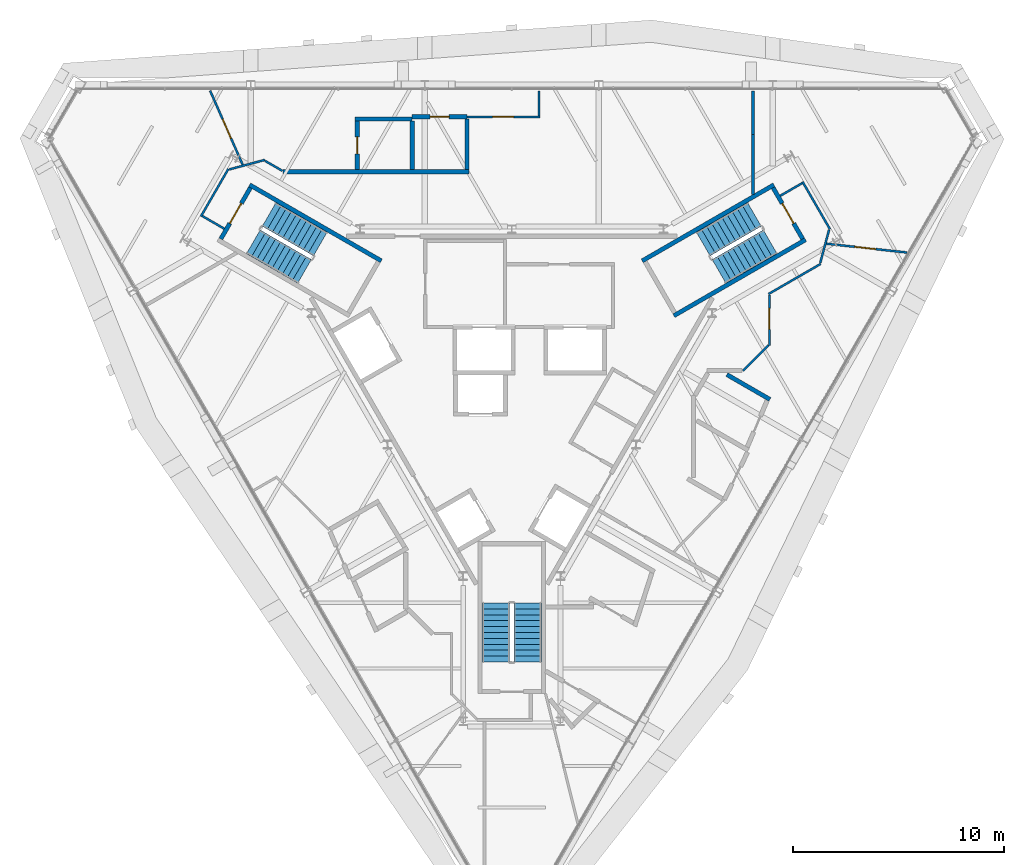
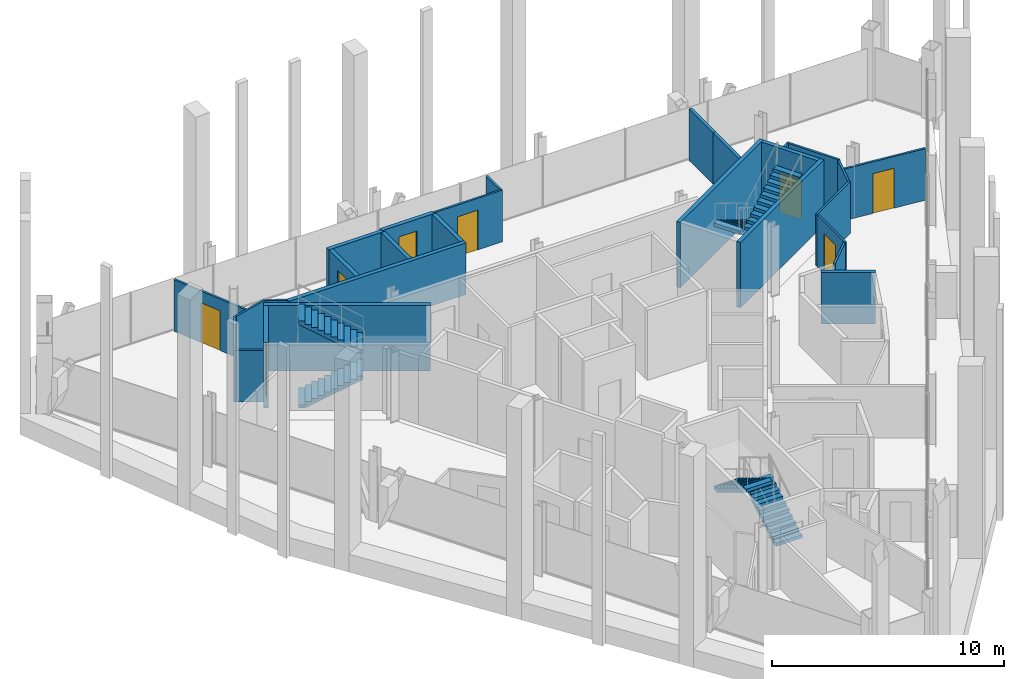
# One storey, part 10 of 12: 28 walls, 8 doors, 6 stair flights, 8 openings, 3 elements without a shape of their own.
"""IFC4 building model written with IfcOpenShell, lengths in metres."""

from ifc_helpers import new_model, si_unit, direction, frame, frame_2d, origin, place, context, subcontext, project, spatial, polyline, rectangle, outline, extrude, material, layer, layer_set, type_object, element, fill, aggregate, save


model = new_model("IFC4")

# Units and contexts
model_context = context("Model", 3, precision=1e-05, world=origin(), true_north=direction((0.0, 1.0)))
body_context = subcontext(model_context, "Body", "Model", "MODEL_VIEW")
ifc_project = project(units=[si_unit("LENGTHUNIT", "METRE"), si_unit("AREAUNIT", "SQUARE_METRE"), si_unit("VOLUMEUNIT", "CUBIC_METRE"), si_unit("PLANEANGLEUNIT", "RADIAN"), si_unit("MASSUNIT", "GRAM", prefix="KILO")], contexts=[model_context])

# Site, building, storey
site_placement = place(None, origin())
site = spatial("IfcSite", under=ifc_project, at=site_placement, CompositionType="ELEMENT")
building_placement = place(site_placement, origin())
building = spatial("IfcBuilding", under=site, at=building_placement, Name="Verrane Prism Tower", CompositionType="ELEMENT")
storey_placement = place(building_placement, frame((0.0, 0.0, 264.0)))
storey = spatial("IfcBuildingStorey", under=building, at=storey_placement, Name="L66", CompositionType="ELEMENT", Elevation=264.0)

# Wall, opening, door
ifc_material_1 = material(Name="Concrete C40/50", Category="concrete")
ifc_layer_1 = layer(ifc_material_1, 0.199951171875)
ifc_layer_set_1 = layer_set([ifc_layer_1], Name="CW-200 stair core wall concrete C40/50 3 h")
wall_type_1 = type_object("IfcWallType", Name="CW-200 stair core wall concrete C40/50 3 h", PredefinedType="PARTITIONING", material=ifc_layer_set_1)
wall_1_placement = place(storey_placement, frame((13.777099609375, 6.337646484375, 0.0), z_axis=(0.0, 0.0, 1.0), x_axis=(-0.500049511043, 0.865996816683, 0.0)))
wall_1 = element("IfcWall", 1, at=wall_1_placement, inside=storey, type_object=wall_type_1, Name="Stair 1 enclosure wall", PredefinedType="PARTITIONING", context=body_context, shape_type="SweptSolid", body=[
    extrude(rectangle(XDim=2.800048828125, YDim=0.199951171875, at=frame_2d((1.39990234375, 0.0))), origin(), (0.0, 0.0, 1.0), 3.449951171875),
])
opening_1_placement = place(wall_1_placement, frame((0.849853515625, 0.0, 0.0)))
opening_1 = element("IfcOpeningElement", 2, at=opening_1_placement, cuts=wall_1, Name="Opening D66500", PredefinedType="OPENING", context=body_context, shape_type="SweptSolid", body=[
    extrude(rectangle(XDim=1.10009765625, YDim=2.10009765625, at=frame_2d((0.550048828125, 1.050048828125))), frame((0.0, 0.10986328125, 0.0), z_axis=(0.0, -1.0, 0.0), x_axis=(1.0, 0.0, 0.0)), (0.0, 0.0, 1.0), 0.219970703125),
])
ifc_material_2 = material(Name="Timber veneered door leaf", Category="wood")
door_type_1 = type_object("IfcDoorType", Name="DR-1100x2100 FD90 single leaf stair", OperationType="NOTDEFINED", PredefinedType="DOOR", material=ifc_material_2)
door_1_placement = place(opening_1_placement, origin())
door_1 = element("IfcDoor", 3, at=door_1_placement, inside=storey, type_object=door_type_1, Name="Stair 1 door", OperationType="SINGLE_SWING_LEFT", OverallHeight=2.10009765625, OverallWidth=1.10009765625, PredefinedType="DOOR", context=body_context, shape_type="SweptSolid", body=[
    extrude(rectangle(XDim=1.10009765625, YDim=2.10009765625, at=frame_2d((0.550048828125, 1.050048828125))), frame((0.0, 0.02490234375, 0.0), z_axis=(0.0, -1.0, 0.0), x_axis=(1.0, 0.0, 0.0)), (0.0, 0.0, 1.0), 0.050048828125),
])
fill(opening_1, door_1)

# Walls
for number, where, z_axis, x_axis, name in (
    (4, (6.17822265625, 5.299072265625, 0.0), (0.0, 0.0, 1.0), (0.866033125095, 0.499986626058, 0.0), "Stair 1 enclosure wall"),
    (5, (7.67822265625, 2.700927734375, 0.0), (0.0, 0.0, 1.0), (0.866018442252, 0.500012057535, 0.0), "Stair 1 enclosure wall"),
):
    element("IfcWall", number, at=place(storey_placement, frame(where, z_axis=z_axis, x_axis=x_axis)), inside=storey, type_object=wall_type_1, Name=name, PredefinedType="PARTITIONING", context=body_context, shape_type="SweptSolid", body=[
        extrude(rectangle(XDim=7.199951171875, YDim=0.199951171875, at=frame_2d((3.60009765625, 0.0))), origin(), (0.0, 0.0, 1.0), 3.449951171875),
    ])

# Wall, opening, door
wall_2_placement = place(storey_placement, frame((-12.376953125, 8.762451171875, 0.0), z_axis=(0.0, 0.0, 1.0), x_axis=(-0.500049511043, -0.865996816683, 0.0)))
wall_2 = element("IfcWall", 6, at=wall_2_placement, inside=storey, type_object=wall_type_1, Name="Stair 2 enclosure wall", PredefinedType="PARTITIONING", context=body_context, shape_type="SweptSolid", body=[
    extrude(rectangle(XDim=2.800048828125, YDim=0.199951171875, at=frame_2d((1.39990234375, 0.0))), origin(), (0.0, 0.0, 1.0), 3.449951171875),
])
opening_2_placement = place(wall_2_placement, frame((0.849853515625, 0.0, 0.0)))
opening_2 = element("IfcOpeningElement", 7, at=opening_2_placement, cuts=wall_2, Name="Opening D66501", PredefinedType="OPENING", context=body_context, shape_type="SweptSolid", body=[
    extrude(rectangle(XDim=1.10009765625, YDim=2.10009765625, at=frame_2d((0.550048828125, 1.050048828125))), frame((0.0, 0.10986328125, 0.0), z_axis=(0.0, -1.0, 0.0), x_axis=(1.0, 0.0, 0.0)), (0.0, 0.0, 1.0), 0.219970703125),
])
door_2_placement = place(opening_2_placement, origin())
door_2 = element("IfcDoor", 8, at=door_2_placement, inside=storey, type_object=door_type_1, Name="Stair 2 door", OperationType="SINGLE_SWING_RIGHT", OverallHeight=2.10009765625, OverallWidth=1.10009765625, PredefinedType="DOOR", context=body_context, shape_type="SweptSolid", body=[
    extrude(rectangle(XDim=1.10009765625, YDim=2.10009765625, at=frame_2d((0.550048828125, 1.050048828125))), frame((0.0, 0.02490234375, 0.0), z_axis=(0.0, -1.0, 0.0), x_axis=(1.0, 0.0, 0.0)), (0.0, 0.0, 1.0), 0.050048828125),
])
fill(opening_2, door_2)

# Walls
wall_3_placement = place(storey_placement, frame((-6.17822265625, 5.299072265625, 0.0), z_axis=(0.0, 0.0, 1.0), x_axis=(-0.866033125095, 0.499986626058, 0.0)))
element("IfcWall", 9, at=wall_3_placement, inside=storey, type_object=wall_type_1, Name="Stair 2 enclosure wall", PredefinedType="PARTITIONING", context=body_context, shape_type="SweptSolid", body=[
    extrude(rectangle(XDim=7.199951171875, YDim=0.199951171875, at=frame_2d((3.60009765625, 0.0))), origin(), (0.0, 0.0, 1.0), 3.449951171875),
])
ifc_material_3 = material(Name="Gypsum board partition", Category="other")
ifc_layer_2 = layer(ifc_material_3, 0.10009765625)
ifc_layer_set_2 = layer_set([ifc_layer_2], Name="PW-100 room partition")
wall_type_2 = type_object("IfcWallType", Name="PW-100 room partition", PredefinedType="PARTITIONING", material=ifc_layer_set_2)
wall_4_placement = place(storey_placement, frame((-14.652587890625, 7.4208984375, 0.0), z_axis=(0.0, 0.0, 1.0), x_axis=(0.865941482684, -0.500145327446, 0.0)))
element("IfcWall", 10, at=wall_4_placement, inside=storey, type_object=wall_type_2, Name="Room partition 003", PredefinedType="PARTITIONING", context=body_context, shape_type="SweptSolid", body=[
    extrude(rectangle(XDim=1.199462890625, YDim=0.10009765625, at=frame_2d((0.599609375, 0.0))), origin(), (0.0, 0.0, 1.0), 2.722900390625),
])
wall_5_placement = place(storey_placement, frame((-14.720947265625, 7.402587890625, 0.0), z_axis=(0.0, 0.0, 1.0), x_axis=(0.500006934395, 0.866021400173, 0.0)))
element("IfcWall", 11, at=wall_5_placement, inside=storey, type_object=wall_type_2, Name="Room partition 004", PredefinedType="PARTITIONING", context=body_context, shape_type="SweptSolid", body=[
    extrude(rectangle(XDim=2.60009765625, YDim=0.10009765625, at=frame_2d((1.300048828125, 0.0))), origin(), (0.0, 0.0, 1.0), 2.722900390625),
])

# Wall, opening, door
wall_6_placement = place(storey_placement, frame((-12.74658203125, 9.857421875, 0.0), z_axis=(0.0, 0.0, 1.0), x_axis=(-0.402509649346, 0.91541574281, 0.0)))
wall_6 = element("IfcWall", 12, at=wall_6_placement, inside=storey, type_object=wall_type_2, Name="Room partition 005", PredefinedType="PARTITIONING", context=body_context, shape_type="SweptSolid", body=[
    extrude(rectangle(XDim=3.82373046875, YDim=0.10009765625, at=frame_2d((1.911865234375, 0.0))), origin(), (0.0, 0.0, 1.0), 2.722900390625),
])
opening_3_placement = place(wall_6_placement, frame((1.357421875, 0.0, 0.0)))
opening_3 = element("IfcOpeningElement", 13, at=opening_3_placement, cuts=wall_6, Name="Opening D66012", PredefinedType="OPENING", context=body_context, shape_type="SweptSolid", body=[
    extrude(rectangle(XDim=1.0, YDim=2.10009765625, at=frame_2d((0.5, 1.050048828125))), frame((0.0, 0.06005859375, 0.0), z_axis=(0.0, -1.0, 0.0), x_axis=(1.0, 0.0, 0.0)), (0.0, 0.0, 1.0), 0.1201171875),
])
ifc_material_4 = material(Name="Timber veneered door leaf", Category="wood")
door_type_2 = type_object("IfcDoorType", Name="DR-1000x2100 single leaf inner", OperationType="NOTDEFINED", PredefinedType="DOOR", material=ifc_material_4)
door_3_placement = place(opening_3_placement, origin())
door_3 = element("IfcDoor", 14, at=door_3_placement, inside=storey, type_object=door_type_2, Name="Living And Dining Room door", OperationType="SINGLE_SWING_LEFT", OverallHeight=2.10009765625, OverallWidth=1.0, PredefinedType="DOOR", context=body_context, shape_type="SweptSolid", body=[
    extrude(rectangle(XDim=1.0, YDim=2.10009765625, at=frame_2d((0.5, 1.050048828125))), frame((0.0, 0.02490234375, 0.0), z_axis=(0.0, -1.0, 0.0), x_axis=(1.0, 0.0, 0.0)), (0.0, 0.0, 1.0), 0.050048828125),
])
fill(opening_3, door_3)

# Walls
wall_7_placement = place(storey_placement, frame((-13.37841796875, 9.629150390625, 0.0), z_axis=(0.0, 0.0, 1.0), x_axis=(0.966007272337, 0.258514892785, 0.0)))
element("IfcWall", 15, at=wall_7_placement, inside=storey, type_object=wall_type_2, Name="Room partition 006", PredefinedType="PARTITIONING", context=body_context, shape_type="SweptSolid", body=[
    extrude(rectangle(XDim=1.7470703125, YDim=0.10009765625, at=frame_2d((0.87353515625, 0.0))), origin(), (0.0, 0.0, 1.0), 2.722900390625),
])
wall_8_placement = place(storey_placement, frame((-11.678466796875, 10.032958984375, 0.0), z_axis=(0.0, 0.0, 1.0), x_axis=(0.866116627388, -0.499841962787, 0.0)))
element("IfcWall", 16, at=wall_8_placement, inside=storey, type_object=wall_type_2, Name="Room partition 008", PredefinedType="PARTITIONING", context=body_context, shape_type="SweptSolid", body=[
    extrude(rectangle(XDim=0.943115234375, YDim=0.10009765625, at=frame_2d((0.4716796875, 0.0))), origin(), (0.0, 0.0, 1.0), 2.722900390625),
])

# Wall, opening, door
wall_9_placement = place(storey_placement, frame((-2.10888671875, 12.118896484375, 0.0), z_axis=(0.0, 0.0, 1.0), x_axis=(1.0, 0.0, 0.0)))
wall_9 = element("IfcWall", 17, at=wall_9_placement, inside=storey, type_object=wall_type_2, Name="Room partition 028", PredefinedType="PARTITIONING", context=body_context, shape_type="SweptSolid", body=[
    extrude(rectangle(XDim=3.44482421875, YDim=0.10009765625, at=frame_2d((1.722412109375, 0.0))), origin(), (0.0, 0.0, 1.0), 2.722900390625),
])
opening_4_placement = place(wall_9_placement, frame((1.199951171875, 0.0, 0.0)))
opening_4 = element("IfcOpeningElement", 18, at=opening_4_placement, cuts=wall_9, Name="Opening D66010", PredefinedType="OPENING", context=body_context, shape_type="SweptSolid", body=[
    extrude(rectangle(XDim=1.0, YDim=2.10009765625, at=frame_2d((0.5, 1.050048828125))), frame((0.0, 0.06005859375, 0.0), z_axis=(0.0, -1.0, 0.0), x_axis=(1.0, 0.0, 0.0)), (0.0, 0.0, 1.0), 0.1201171875),
])
door_4_placement = place(opening_4_placement, origin())
door_4 = element("IfcDoor", 19, at=door_4_placement, inside=storey, type_object=door_type_2, Name="Entrance Foyer door", OperationType="SINGLE_SWING_RIGHT", OverallHeight=2.10009765625, OverallWidth=1.0, PredefinedType="DOOR", context=body_context, shape_type="SweptSolid", body=[
    extrude(rectangle(XDim=1.0, YDim=2.10009765625, at=frame_2d((0.5, 1.050048828125))), frame((0.0, 0.02490234375, 0.0), z_axis=(0.0, -1.0, 0.0), x_axis=(1.0, 0.0, 0.0)), (0.0, 0.0, 1.0), 0.050048828125),
])
fill(opening_4, door_4)

# Walls
wall_10_placement = place(storey_placement, frame((1.285888671875, 12.1689453125, 0.0), z_axis=(0.0, 0.0, 1.0), x_axis=(0.0, 1.0, 0.0)))
element("IfcWall", 20, at=wall_10_placement, inside=storey, type_object=wall_type_2, Name="Room partition 032", PredefinedType="PARTITIONING", context=body_context, shape_type="SweptSolid", body=[
    extrude(rectangle(XDim=1.18212890625, YDim=0.10009765625, at=frame_2d((0.591064453125, 0.0))), origin(), (0.0, 0.0, 1.0), 2.722900390625),
])
wall_11_placement = place(storey_placement, frame((10.948974609375, 0.10107421875, 0.0), z_axis=(0.0, 0.0, 1.0), x_axis=(0.707106781187, 0.707106781187, 0.0)))
element("IfcWall", 21, at=wall_11_placement, inside=storey, type_object=wall_type_2, Name="Room partition 052", PredefinedType="PARTITIONING", context=body_context, shape_type="SweptSolid", body=[
    extrude(rectangle(XDim=1.69775390625, YDim=0.10009765625, at=frame_2d((0.848876953125, 0.0))), origin(), (0.0, 0.0, 1.0), 2.722900390625),
])

# Wall, opening, door
wall_12_placement = place(storey_placement, frame((12.198974609375, 3.681884765625, 0.0), z_axis=(0.0, 0.0, 1.0), x_axis=(0.0, -1.0, 0.0)))
wall_12 = element("IfcWall", 22, at=wall_12_placement, inside=storey, type_object=wall_type_2, Name="Room partition 056", PredefinedType="PARTITIONING", context=body_context, shape_type="SweptSolid", body=[
    extrude(rectangle(XDim=2.380859375, YDim=0.10009765625, at=frame_2d((1.1904296875, 0.0))), origin(), (0.0, 0.0, 1.0), 2.722900390625),
])
opening_5_placement = place(wall_12_placement, frame((0.631103515625, 0.0, 0.0)))
opening_5 = element("IfcOpeningElement", 23, at=opening_5_placement, cuts=wall_12, Name="Opening D66006", PredefinedType="OPENING", context=body_context, shape_type="SweptSolid", body=[
    extrude(rectangle(XDim=1.0, YDim=2.10009765625, at=frame_2d((0.5, 1.050048828125))), frame((0.0, 0.06005859375, 0.0), z_axis=(0.0, -1.0, 0.0), x_axis=(1.0, 0.0, 0.0)), (0.0, 0.0, 1.0), 0.1201171875),
])
door_5_placement = place(opening_5_placement, origin())
door_5 = element("IfcDoor", 24, at=door_5_placement, inside=storey, type_object=door_type_2, Name="Entrance Foyer door", OperationType="SINGLE_SWING_LEFT", OverallHeight=2.10009765625, OverallWidth=1.0, PredefinedType="DOOR", context=body_context, shape_type="SweptSolid", body=[
    extrude(rectangle(XDim=1.0, YDim=2.10009765625, at=frame_2d((0.5, 1.050048828125))), frame((0.0, 0.02490234375, 0.0), z_axis=(0.0, -1.0, 0.0), x_axis=(1.0, 0.0, 0.0)), (0.0, 0.0, 1.0), 0.050048828125),
])
fill(opening_5, door_5)

# Walls
wall_13_placement = place(storey_placement, frame((12.15576171875, 3.72705078125, 0.0), z_axis=(0.0, 0.0, 1.0), x_axis=(0.866012137121, 0.500022977831, 0.0)))
element("IfcWall", 25, at=wall_13_placement, inside=storey, type_object=wall_type_2, Name="Room partition 057", PredefinedType="PARTITIONING", context=body_context, shape_type="SweptSolid", body=[
    extrude(rectangle(XDim=2.859619140625, YDim=0.10009765625, at=frame_2d((1.4296875, 0.0))), origin(), (0.0, 0.0, 1.0), 2.722900390625),
])
wall_14_placement = place(storey_placement, frame((12.714111328125, 8.37890625, 0.0), z_axis=(0.0, 0.0, 1.0), x_axis=(0.86585331735, 0.500297944063, 0.0)))
element("IfcWall", 26, at=wall_14_placement, inside=storey, type_object=wall_type_2, Name="Room partition 058", PredefinedType="PARTITIONING", context=body_context, shape_type="SweptSolid", body=[
    extrude(rectangle(XDim=1.199462890625, YDim=0.10009765625, at=frame_2d((0.599609375, 0.0))), origin(), (0.0, 0.0, 1.0), 2.722900390625),
])
wall_15_placement = place(storey_placement, frame((13.77099609375, 9.04736328125, 0.0), z_axis=(0.0, 0.0, 1.0), x_axis=(0.500006934395, -0.866021400173, 0.0)))
element("IfcWall", 27, at=wall_15_placement, inside=storey, type_object=wall_type_2, Name="Room partition 059", PredefinedType="PARTITIONING", context=body_context, shape_type="SweptSolid", body=[
    extrude(rectangle(XDim=2.60009765625, YDim=0.10009765625, at=frame_2d((1.300048828125, 0.0))), origin(), (0.0, 0.0, 1.0), 2.722900390625),
])
wall_16_placement = place(storey_placement, frame((14.607177734375, 5.19970703125, 0.0), z_axis=(0.0, 0.0, 1.0), x_axis=(0.258531076101, 0.966002941346, 0.0)))
element("IfcWall", 28, at=wall_16_placement, inside=storey, type_object=wall_type_2, Name="Room partition 060", PredefinedType="PARTITIONING", context=body_context, shape_type="SweptSolid", body=[
    extrude(rectangle(XDim=1.627197265625, YDim=0.10009765625, at=frame_2d((0.8134765625, 0.0))), origin(), (0.0, 0.0, 1.0), 2.722900390625),
])

# Wall, opening, door
wall_17_placement = place(storey_placement, frame((14.910888671875, 6.110595703125, 0.0), z_axis=(0.0, 0.0, 1.0), x_axis=(0.994040808037, -0.10900858662, 0.0)))
wall_17 = element("IfcWall", 29, at=wall_17_placement, inside=storey, type_object=wall_type_2, Name="Room partition 061", PredefinedType="PARTITIONING", context=body_context, shape_type="SweptSolid", body=[
    extrude(rectangle(XDim=3.822998046875, YDim=0.10009765625, at=frame_2d((1.91162109375, 0.0))), origin(), (0.0, 0.0, 1.0), 2.722900390625),
])
opening_6_placement = place(wall_17_placement, frame((1.341796875, 0.0, 0.0)))
opening_6 = element("IfcOpeningElement", 30, at=opening_6_placement, cuts=wall_17, Name="Opening D66008", PredefinedType="OPENING", context=body_context, shape_type="SweptSolid", body=[
    extrude(rectangle(XDim=1.0, YDim=2.10009765625, at=frame_2d((0.5, 1.050048828125))), frame((0.0, 0.06005859375, 0.0), z_axis=(0.0, -1.0, 0.0), x_axis=(1.0, 0.0, 0.0)), (0.0, 0.0, 1.0), 0.1201171875),
])
door_6_placement = place(opening_6_placement, origin())
door_6 = element("IfcDoor", 31, at=door_6_placement, inside=storey, type_object=door_type_2, Name="Living And Dining Room door", OperationType="SINGLE_SWING_RIGHT", OverallHeight=2.10009765625, OverallWidth=1.0, PredefinedType="DOOR", context=body_context, shape_type="SweptSolid", body=[
    extrude(rectangle(XDim=1.0, YDim=2.10009765625, at=frame_2d((0.5, 1.050048828125))), frame((0.0, 0.02490234375, 0.0), z_axis=(0.0, -1.0, 0.0), x_axis=(1.0, 0.0, 0.0)), (0.0, 0.0, 1.0), 0.050048828125),
])
fill(opening_6, door_6)

# Walls
ifc_material_5 = material(Name="Gypsum board partition", Category="other")
ifc_layer_3 = layer(ifc_material_5, 0.14990234375)
ifc_layer_set_3 = layer_set([ifc_layer_3], Name="PW-150 demising wall 1 h")
wall_type_3 = type_object("IfcWallType", Name="PW-150 demising wall 1 h", PredefinedType="PARTITIONING", material=ifc_layer_set_3)
wall_18_placement = place(storey_placement, frame((11.430908203125, 8.447021484375, 0.0), z_axis=(0.0, 0.0, 1.0), x_axis=(0.0, 1.0, 0.0)))
element("IfcWall", 32, at=wall_18_placement, inside=storey, type_object=wall_type_3, Name="Demising wall 054", PredefinedType="PARTITIONING", context=body_context, shape_type="SweptSolid", body=[
    extrude(rectangle(XDim=2.837890625, YDim=0.14990234375, at=frame_2d((1.4189453125, 0.0))), origin(), (0.0, 0.0, 1.0), 2.722900390625),
])
wall_19_placement = place(storey_placement, frame((11.430908203125, 11.2900390625, 0.0), z_axis=(0.0, 0.0, 1.0), x_axis=(0.0, 1.0, 0.0)))
element("IfcWall", 33, at=wall_19_placement, inside=storey, type_object=wall_type_3, Name="Demising wall 055", PredefinedType="PARTITIONING", context=body_context, shape_type="SweptSolid", body=[
    extrude(rectangle(XDim=2.06103515625, YDim=0.14990234375, at=frame_2d((1.030517578125, 0.0))), origin(), (0.0, 0.0, 1.0), 2.722900390625),
])
ifc_material_6 = material(Name="Gypsum board partition", Category="other")
ifc_layer_4 = layer(ifc_material_6, 0.199951171875)
ifc_layer_set_4 = layer_set([ifc_layer_4], Name="PW-200 plumbing wall")
wall_type_4 = type_object("IfcWallType", Name="PW-200 plumbing wall", PredefinedType="PARTITIONING", material=ifc_layer_set_4)
wall_20_placement = place(storey_placement, frame((-10.837890625, 9.51904296875, 0.0), z_axis=(0.0, 0.0, 1.0), x_axis=(1.0, 0.0, 0.0)))
element("IfcWall", 34, at=wall_20_placement, inside=storey, type_object=wall_type_4, Name="Plumbing wall 010", PredefinedType="PARTITIONING", context=body_context, shape_type="SweptSolid", body=[
    extrude(rectangle(XDim=8.823974609375, YDim=0.199951171875, at=frame_2d((4.412109375, 0.0))), origin(), (0.0, 0.0, 1.0), 2.722900390625),
])

# Wall, opening, door
wall_21_placement = place(storey_placement, frame((-7.31396484375, 11.9189453125, 0.0), z_axis=(0.0, 0.0, 1.0), x_axis=(0.0, -1.0, 0.0)))
wall_21 = element("IfcWall", 35, at=wall_21_placement, inside=storey, type_object=wall_type_4, Name="Plumbing wall 015", PredefinedType="PARTITIONING", context=body_context, shape_type="SweptSolid", body=[
    extrude(rectangle(XDim=2.300048828125, YDim=0.199951171875, at=frame_2d((1.14990234375, 0.0))), origin(), (0.0, 0.0, 1.0), 2.722900390625),
])
opening_7_placement = place(wall_21_placement, frame((0.75, 0.0, 0.0)))
opening_7 = element("IfcOpeningElement", 36, at=opening_7_placement, cuts=wall_21, Name="Opening D66013", PredefinedType="OPENING", context=body_context, shape_type="SweptSolid", body=[
    extrude(rectangle(XDim=0.800048828125, YDim=2.10009765625, at=frame_2d((0.39990234375, 1.050048828125))), frame((0.0, 0.10986328125, 0.0), z_axis=(0.0, -1.0, 0.0), x_axis=(1.0, 0.0, 0.0)), (0.0, 0.0, 1.0), 0.219970703125),
])
ifc_material_7 = material(Name="Timber veneered door leaf", Category="wood")
door_type_3 = type_object("IfcDoorType", Name="DR-800x2100 single leaf inner", OperationType="NOTDEFINED", PredefinedType="DOOR", material=ifc_material_7)
door_7_placement = place(opening_7_placement, origin())
door_7 = element("IfcDoor", 37, at=door_7_placement, inside=storey, type_object=door_type_3, Name="Bathroom door", OperationType="SINGLE_SWING_RIGHT", OverallHeight=2.10009765625, OverallWidth=0.800048828125, PredefinedType="DOOR", context=body_context, shape_type="SweptSolid", body=[
    extrude(rectangle(XDim=0.800048828125, YDim=2.10009765625, at=frame_2d((0.39990234375, 1.050048828125))), frame((0.0, 0.02490234375, 0.0), z_axis=(0.0, -1.0, 0.0), x_axis=(1.0, 0.0, 0.0)), (0.0, 0.0, 1.0), 0.050048828125),
])
fill(opening_7, door_7)

# Walls
wall_22_placement = place(storey_placement, frame((-7.4140625, 12.01904296875, 0.0), z_axis=(0.0, 0.0, 1.0), x_axis=(1.0, 0.0, 0.0)))
element("IfcWall", 38, at=wall_22_placement, inside=storey, type_object=wall_type_4, Name="Plumbing wall 016", PredefinedType="PARTITIONING", context=body_context, shape_type="SweptSolid", body=[
    extrude(rectangle(XDim=2.699951171875, YDim=0.199951171875, at=frame_2d((1.35009765625, 0.0))), origin(), (0.0, 0.0, 1.0), 2.722900390625),
])
wall_23_placement = place(storey_placement, frame((-4.714111328125, 9.618896484375, 0.0), z_axis=(0.0, 0.0, 1.0), x_axis=(0.0, 1.0, 0.0)))
element("IfcWall", 39, at=wall_23_placement, inside=storey, type_object=wall_type_4, Name="Plumbing wall 021", PredefinedType="PARTITIONING", context=body_context, shape_type="SweptSolid", body=[
    extrude(rectangle(XDim=2.300048828125, YDim=0.199951171875, at=frame_2d((1.14990234375, 0.0))), origin(), (0.0, 0.0, 1.0), 2.722900390625),
])

# Wall, opening, door
wall_24_placement = place(storey_placement, frame((-2.10888671875, 12.118896484375, 0.0), z_axis=(0.0, 0.0, 1.0), x_axis=(-1.0, 0.0, 0.0)))
wall_24 = element("IfcWall", 40, at=wall_24_placement, inside=storey, type_object=wall_type_4, Name="Plumbing wall 022", PredefinedType="PARTITIONING", context=body_context, shape_type="SweptSolid", body=[
    extrude(rectangle(XDim=2.605224609375, YDim=0.199951171875, at=frame_2d((1.302734375, 0.0))), origin(), (0.0, 0.0, 1.0), 2.722900390625),
])
opening_8_placement = place(wall_24_placement, frame((0.85498046875, 0.0, 0.0)))
opening_8 = element("IfcOpeningElement", 41, at=opening_8_placement, cuts=wall_24, Name="Opening D66011", PredefinedType="OPENING", context=body_context, shape_type="SweptSolid", body=[
    extrude(rectangle(XDim=0.89990234375, YDim=2.10009765625, at=frame_2d((0.449951171875, 1.050048828125))), frame((0.0, 0.10986328125, 0.0), z_axis=(0.0, -1.0, 0.0), x_axis=(1.0, 0.0, 0.0)), (0.0, 0.0, 1.0), 0.219970703125),
])
ifc_material_8 = material(Name="Timber veneered door leaf", Category="wood")
door_type_4 = type_object("IfcDoorType", Name="DR-900x2100 single leaf inner", OperationType="NOTDEFINED", PredefinedType="DOOR", material=ifc_material_8)
door_8_placement = place(opening_8_placement, origin())
door_8 = element("IfcDoor", 42, at=door_8_placement, inside=storey, type_object=door_type_4, Name="Kitchen door", OperationType="SINGLE_SWING_RIGHT", OverallHeight=2.10009765625, OverallWidth=0.89990234375, PredefinedType="DOOR", context=body_context, shape_type="SweptSolid", body=[
    extrude(rectangle(XDim=0.89990234375, YDim=2.10009765625, at=frame_2d((0.449951171875, 1.050048828125))), frame((0.0, 0.02490234375, 0.0), z_axis=(0.0, -1.0, 0.0), x_axis=(1.0, 0.0, 0.0)), (0.0, 0.0, 1.0), 0.050048828125),
])
fill(opening_8, door_8)

# Walls
wall_25_placement = place(storey_placement, frame((-2.114013671875, 9.618896484375, 0.0), z_axis=(0.0, 0.0, 1.0), x_axis=(0.0, 1.0, 0.0)))
element("IfcWall", 43, at=wall_25_placement, inside=storey, type_object=wall_type_4, Name="Plumbing wall 027", PredefinedType="PARTITIONING", context=body_context, shape_type="SweptSolid", body=[
    extrude(rectangle(XDim=2.400146484375, YDim=0.199951171875, at=frame_2d((1.2001953125, 0.0))), origin(), (0.0, 0.0, 1.0), 2.722900390625),
])
wall_26_placement = place(storey_placement, frame((10.186279296875, -0.085693359375, 0.0), z_axis=(0.0, 0.0, 1.0), x_axis=(0.866024864377, -0.50000093428, 0.0)))
element("IfcWall", 44, at=wall_26_placement, inside=storey, type_object=wall_type_4, Name="Plumbing wall 050", PredefinedType="PARTITIONING", context=body_context, shape_type="SweptSolid", body=[
    extrude(rectangle(XDim=2.3525390625, YDim=0.199951171875, at=frame_2d((1.17626953125, 0.0))), origin(), (0.0, 0.0, 1.0), 2.722900390625),
])

# Stair, stair flights
ifc_material_9 = material(Name="Concrete C40/50", Category="concrete")
stair_type = type_object("IfcStairType", Name="Exit stair 1300 dog-leg precast concrete C40/50", PredefinedType="HALF_TURN_STAIR", material=ifc_material_9)
stair_1_placement = place(storey_placement, origin())
stair_1 = element("IfcStair", 45, at=stair_1_placement, inside=storey, type_object=stair_type, Name="Stair 1 L66", PredefinedType="HALF_TURN_STAIR")
ifc_material_10 = material(Name="Concrete C40/50", Category="concrete")
stair_flight_type = type_object("IfcStairFlightType", Name="Stair flight 1300 precast concrete C40/50", PredefinedType="STRAIGHT", material=ifc_material_10)
stair_flight_1_placement = place(storey_placement, frame((11.489501953125, 7.49951171875, 0.0), z_axis=(0.0, 0.0, 1.0), x_axis=(-0.866025403784, -0.5, 0.0)))
stair_flight_1 = element("IfcStairFlight", 46, at=stair_flight_1_placement, type_object=stair_flight_type, Name="Stair 1 flight 1", NumberOfRisers=11, NumberOfTreads=10, PredefinedType="STRAIGHT", RiserHeight=0.168181818, TreadLength=0.28, context=body_context, shape_type="SweptSolid", body=[
    extrude(outline(polyline([(0.0, 0.0), (0.0, 0.168212890625), (0.280029296875, 0.168212890625), (0.280029296875, 0.33642578125), (0.56005859375, 0.33642578125), (0.56005859375, 0.504638671875), (0.840087890625, 0.504638671875), (0.840087890625, 0.672607421875), (1.1201171875, 0.672607421875), (1.1201171875, 0.8408203125), (1.39990234375, 0.8408203125), (1.39990234375, 1.009033203125), (1.679931640625, 1.009033203125), (1.679931640625, 1.17724609375), (1.9599609375, 1.17724609375), (1.9599609375, 1.345458984375), (2.239990234375, 1.345458984375), (2.239990234375, 1.513671875), (2.52001953125, 1.513671875), (2.52001953125, 1.681884765625), (2.800048828125, 1.681884765625), (2.800048828125, 1.85009765625), (2.800048828125, 1.5068359375), (0.291015625, 0.0), (0.0, 0.0)])), frame((0.0, 0.64990234375, 0.0), z_axis=(0.0, -1.0, 0.0), x_axis=(1.0, 0.0, 0.0)), (0.0, 0.0, 1.0), 1.300048828125),
])
stair_flight_2_placement = place(storey_placement, frame((9.814697265625, 4.800537109375, 1.85009765625), z_axis=(0.0, 0.0, 1.0), x_axis=(0.866025403784, 0.5, 0.0)))
stair_flight_2 = element("IfcStairFlight", 47, at=stair_flight_2_placement, type_object=stair_flight_type, Name="Stair 1 flight 2", NumberOfRisers=11, NumberOfTreads=10, PredefinedType="STRAIGHT", RiserHeight=0.168181818, TreadLength=0.28, context=body_context, shape_type="SweptSolid", body=[
    extrude(outline(polyline([(0.0, 0.0), (0.0, 0.168212890625), (0.280029296875, 0.168212890625), (0.280029296875, 0.33642578125), (0.56005859375, 0.33642578125), (0.56005859375, 0.504638671875), (0.840087890625, 0.504638671875), (0.840087890625, 0.672607421875), (1.1201171875, 0.672607421875), (1.1201171875, 0.8408203125), (1.39990234375, 0.8408203125), (1.39990234375, 1.009033203125), (1.679931640625, 1.009033203125), (1.679931640625, 1.17724609375), (1.9599609375, 1.17724609375), (1.9599609375, 1.345458984375), (2.239990234375, 1.345458984375), (2.239990234375, 1.513671875), (2.52001953125, 1.513671875), (2.52001953125, 1.681884765625), (2.800048828125, 1.681884765625), (2.800048828125, 1.85009765625), (2.800048828125, 1.5068359375), (0.291015625, 0.0), (0.0, 0.0)])), frame((0.0, 0.64990234375, 0.0), z_axis=(0.0, -1.0, 0.0), x_axis=(1.0, 0.0, 0.0)), (0.0, 0.0, 1.0), 1.300048828125),
])
aggregate(stair_1, [stair_flight_1, stair_flight_2])

stair_2_placement = place(storey_placement, origin())
stair_2 = element("IfcStair", 48, at=stair_2_placement, inside=storey, type_object=stair_type, Name="Stair 2 L66", PredefinedType="HALF_TURN_STAIR")
stair_flight_3_placement = place(storey_placement, frame((-12.239501953125, 6.200439453125, 0.0), z_axis=(0.0, 0.0, 1.0), x_axis=(0.866025403784, -0.5, 0.0)))
stair_flight_3 = element("IfcStairFlight", 49, at=stair_flight_3_placement, type_object=stair_flight_type, Name="Stair 2 flight 1", NumberOfRisers=11, NumberOfTreads=10, PredefinedType="STRAIGHT", RiserHeight=0.168181818, TreadLength=0.28, context=body_context, shape_type="SweptSolid", body=[
    extrude(outline(polyline([(0.0, 0.0), (0.0, 0.168212890625), (0.280029296875, 0.168212890625), (0.280029296875, 0.33642578125), (0.56005859375, 0.33642578125), (0.56005859375, 0.504638671875), (0.840087890625, 0.504638671875), (0.840087890625, 0.672607421875), (1.1201171875, 0.672607421875), (1.1201171875, 0.8408203125), (1.39990234375, 0.8408203125), (1.39990234375, 1.009033203125), (1.679931640625, 1.009033203125), (1.679931640625, 1.17724609375), (1.9599609375, 1.17724609375), (1.9599609375, 1.345458984375), (2.239990234375, 1.345458984375), (2.239990234375, 1.513671875), (2.52001953125, 1.513671875), (2.52001953125, 1.681884765625), (2.800048828125, 1.681884765625), (2.800048828125, 1.85009765625), (2.800048828125, 1.5068359375), (0.291015625, 0.0), (0.0, 0.0)])), frame((0.0, 0.64990234375, 0.0), z_axis=(0.0, -1.0, 0.0), x_axis=(1.0, 0.0, 0.0)), (0.0, 0.0, 1.0), 1.300048828125),
])
stair_flight_4_placement = place(storey_placement, frame((-9.064697265625, 6.099609375, 1.85009765625), z_axis=(0.0, 0.0, 1.0), x_axis=(-0.866025403784, 0.5, 0.0)))
stair_flight_4 = element("IfcStairFlight", 50, at=stair_flight_4_placement, type_object=stair_flight_type, Name="Stair 2 flight 2", NumberOfRisers=11, NumberOfTreads=10, PredefinedType="STRAIGHT", RiserHeight=0.168181818, TreadLength=0.28, context=body_context, shape_type="SweptSolid", body=[
    extrude(outline(polyline([(0.0, 0.0), (0.0, 0.168212890625), (0.280029296875, 0.168212890625), (0.280029296875, 0.33642578125), (0.56005859375, 0.33642578125), (0.56005859375, 0.504638671875), (0.840087890625, 0.504638671875), (0.840087890625, 0.672607421875), (1.1201171875, 0.672607421875), (1.1201171875, 0.8408203125), (1.39990234375, 0.8408203125), (1.39990234375, 1.009033203125), (1.679931640625, 1.009033203125), (1.679931640625, 1.17724609375), (1.9599609375, 1.17724609375), (1.9599609375, 1.345458984375), (2.239990234375, 1.345458984375), (2.239990234375, 1.513671875), (2.52001953125, 1.513671875), (2.52001953125, 1.681884765625), (2.800048828125, 1.681884765625), (2.800048828125, 1.85009765625), (2.800048828125, 1.5068359375), (0.291015625, 0.0), (0.0, 0.0)])), frame((0.0, 0.64990234375, 0.0), z_axis=(0.0, -1.0, 0.0), x_axis=(1.0, 0.0, 0.0)), (0.0, 0.0, 1.0), 1.300048828125),
])
aggregate(stair_2, [stair_flight_3, stair_flight_4])

stair_3_placement = place(storey_placement, origin())
stair_3 = element("IfcStair", 51, at=stair_3_placement, inside=storey, type_object=stair_type, Name="Stair 3 L66", PredefinedType="HALF_TURN_STAIR")
stair_flight_5_placement = place(storey_placement, frame((0.75, -13.699951171875, 0.0), z_axis=(0.0, 0.0, 1.0), x_axis=(0.0, 1.0, 0.0)))
stair_flight_5 = element("IfcStairFlight", 52, at=stair_flight_5_placement, type_object=stair_flight_type, Name="Stair 3 flight 1", NumberOfRisers=11, NumberOfTreads=10, PredefinedType="STRAIGHT", RiserHeight=0.168181818, TreadLength=0.28, context=body_context, shape_type="SweptSolid", body=[
    extrude(outline(polyline([(0.0, 0.0), (0.0, 0.168212890625), (0.280029296875, 0.168212890625), (0.280029296875, 0.33642578125), (0.56005859375, 0.33642578125), (0.56005859375, 0.504638671875), (0.840087890625, 0.504638671875), (0.840087890625, 0.672607421875), (1.1201171875, 0.672607421875), (1.1201171875, 0.8408203125), (1.39990234375, 0.8408203125), (1.39990234375, 1.009033203125), (1.679931640625, 1.009033203125), (1.679931640625, 1.17724609375), (1.9599609375, 1.17724609375), (1.9599609375, 1.345458984375), (2.239990234375, 1.345458984375), (2.239990234375, 1.513671875), (2.52001953125, 1.513671875), (2.52001953125, 1.681884765625), (2.800048828125, 1.681884765625), (2.800048828125, 1.85009765625), (2.800048828125, 1.5068359375), (0.291015625, 0.0), (0.0, 0.0)])), frame((0.0, 0.64990234375, 0.0), z_axis=(0.0, -1.0, 0.0), x_axis=(1.0, 0.0, 0.0)), (0.0, 0.0, 1.0), 1.300048828125),
])
stair_flight_6_placement = place(storey_placement, frame((-0.75, -10.89990234375, 1.85009765625), z_axis=(0.0, 0.0, 1.0), x_axis=(0.0, -1.0, 0.0)))
stair_flight_6 = element("IfcStairFlight", 53, at=stair_flight_6_placement, type_object=stair_flight_type, Name="Stair 3 flight 2", NumberOfRisers=11, NumberOfTreads=10, PredefinedType="STRAIGHT", RiserHeight=0.168181818, TreadLength=0.28, context=body_context, shape_type="SweptSolid", body=[
    extrude(outline(polyline([(0.0, 0.0), (0.0, 0.168212890625), (0.280029296875, 0.168212890625), (0.280029296875, 0.33642578125), (0.56005859375, 0.33642578125), (0.56005859375, 0.504638671875), (0.840087890625, 0.504638671875), (0.840087890625, 0.672607421875), (1.1201171875, 0.672607421875), (1.1201171875, 0.8408203125), (1.39990234375, 0.8408203125), (1.39990234375, 1.009033203125), (1.679931640625, 1.009033203125), (1.679931640625, 1.17724609375), (1.9599609375, 1.17724609375), (1.9599609375, 1.345458984375), (2.239990234375, 1.345458984375), (2.239990234375, 1.513671875), (2.52001953125, 1.513671875), (2.52001953125, 1.681884765625), (2.800048828125, 1.681884765625), (2.800048828125, 1.85009765625), (2.800048828125, 1.5068359375), (0.291015625, 0.0), (0.0, 0.0)])), frame((0.0, 0.64990234375, 0.0), z_axis=(0.0, -1.0, 0.0), x_axis=(1.0, 0.0, 0.0)), (0.0, 0.0, 1.0), 1.300048828125),
])
aggregate(stair_3, [stair_flight_5, stair_flight_6])

save(model, "model.ifc")
